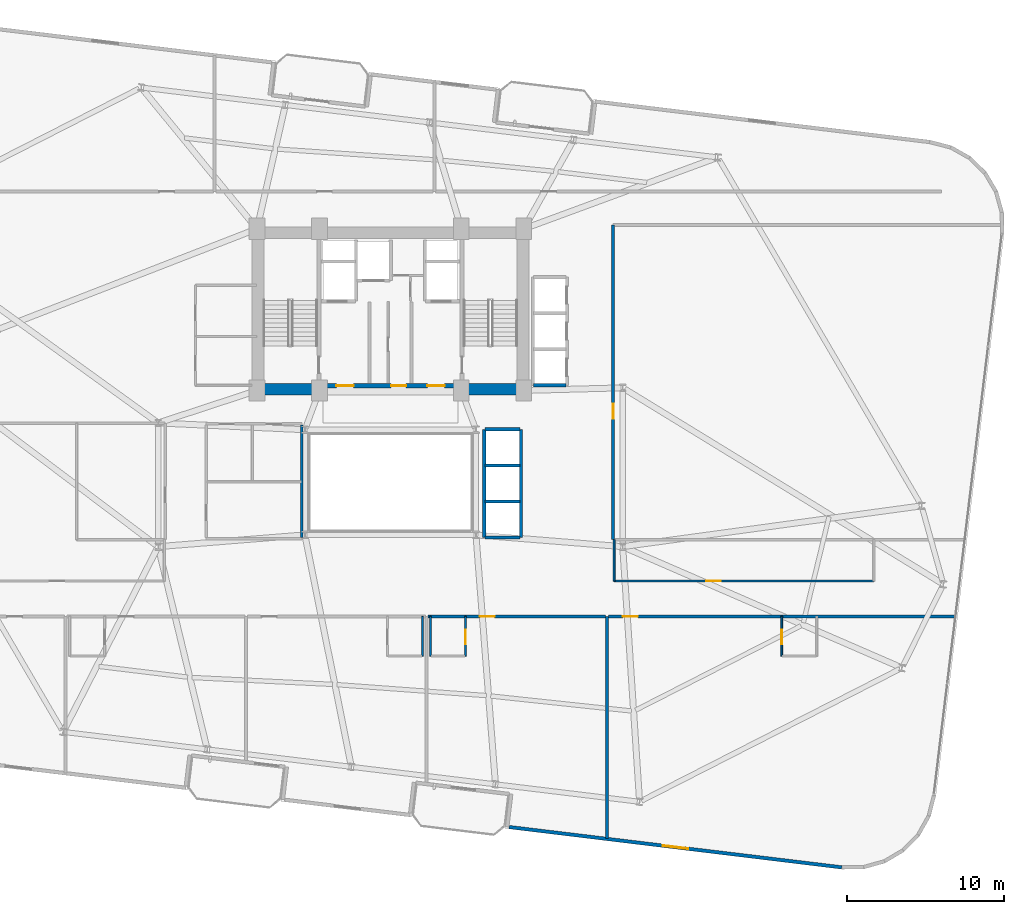
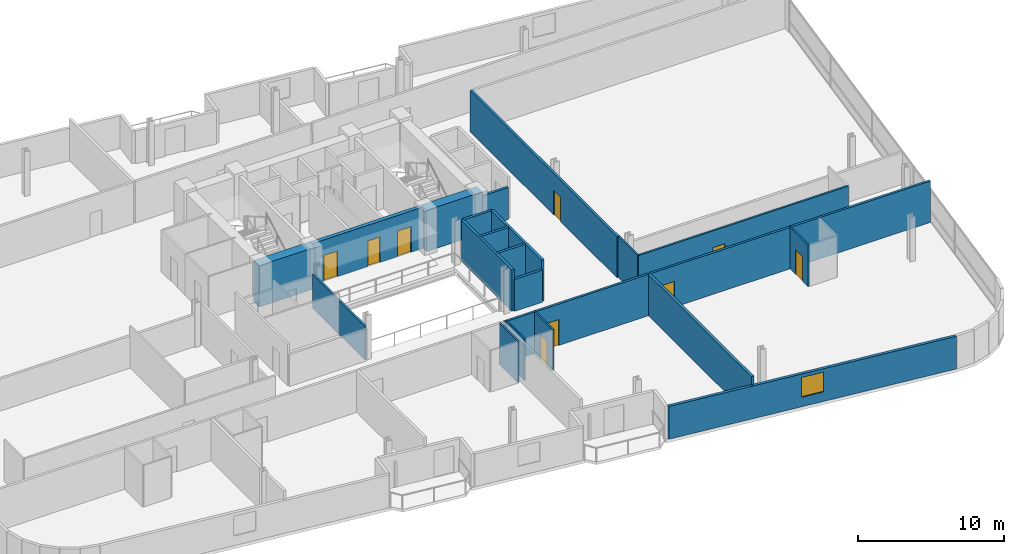
# One storey, part 21 of 25: 22 walls, 9 doors, 1 window, 10 openings.
"""IFC4 building model written with IfcOpenShell, lengths in metres."""

from ifc_helpers import new_model, si_unit, direction, frame, frame_2d, origin, place, context, subcontext, project, spatial, rectangle, extrude, material, layer, layer_set, type_object, element, fill, save


model = new_model("IFC4")

# Units and contexts
model_context = context("Model", 3, precision=1e-05, world=origin(), true_north=direction((0.0, 1.0)))
body_context = subcontext(model_context, "Body", "Model", "MODEL_VIEW")
ifc_project = project(units=[si_unit("LENGTHUNIT", "METRE"), si_unit("AREAUNIT", "SQUARE_METRE"), si_unit("VOLUMEUNIT", "CUBIC_METRE"), si_unit("PLANEANGLEUNIT", "RADIAN"), si_unit("MASSUNIT", "GRAM", prefix="KILO")], contexts=[model_context])

# Site, building, storey
site_placement = place(None, origin())
site = spatial("IfcSite", under=ifc_project, at=site_placement, CompositionType="ELEMENT")
building_placement = place(site_placement, origin())
building = spatial("IfcBuilding", under=site, at=building_placement, Name="Varnelok Gate Tower", CompositionType="ELEMENT")
storey_placement = place(building_placement, frame((0.0, 0.0, 140.199951171875)))
storey = spatial("IfcBuildingStorey", under=building, at=storey_placement, Name="L35", CompositionType="ELEMENT", Elevation=140.199951171875)

# Wall, opening, window
ifc_material_1 = material(Name="Concrete C45/55", Category="concrete")
ifc_layer_1 = layer(ifc_material_1, 0.219970703125)
ifc_layer_set_1 = layer_set([ifc_layer_1], Name="Concrete C45/55")
wall_type_1 = type_object("IfcWallType", Name="EW-BALC-220", PredefinedType="SOLIDWALL", material=ifc_layer_set_1)
wall_1_placement = place(storey_placement, frame((46.767578125, 0.93212890625, 0.0), z_axis=(0.0, 0.0, 1.0), x_axis=(0.992733036814, -0.120337515419, 0.0)))
wall_1 = element("IfcWall", 1, at=wall_1_placement, inside=storey, type_object=wall_type_1, Name="L35 Perimeter Facade Closure Wall 13", PredefinedType="SOLIDWALL", context=body_context, shape_type="SweptSolid", body=[
    extrude(rectangle(XDim=21.346923828125, YDim=0.219970703125, at=frame_2d((10.67333984375, 0.0))), origin(), (0.0, 0.0, 1.0), 2.72998046875),
])
opening_1_placement = place(wall_1_placement, frame((9.8486328125, 0.0, 0.800048828125)))
opening_1 = element("IfcOpeningElement", 2, at=opening_1_placement, cuts=wall_1, Name="Opening WN3", PredefinedType="OPENING", context=body_context, shape_type="SweptSolid", body=[
    extrude(rectangle(XDim=1.64990234375, YDim=1.64990234375, at=frame_2d((0.824951171875, 0.824951171875))), frame((0.0, 0.119873046875, 0.0), z_axis=(0.0, -1.0, 0.0), x_axis=(1.0, 0.0, 0.0)), (0.0, 0.0, 1.0), 0.239990234375),
])
ifc_material_2 = material(Name="Low-E Laminated Double Glazing IGU", Category="glass")
window_type = type_object("IfcWindowType", Name="WN-HTL-1650", PartitioningType="SINGLE_PANEL", PredefinedType="WINDOW", material=ifc_material_2)
window_placement = place(opening_1_placement, origin())
window = element("IfcWindow", 3, at=window_placement, inside=storey, type_object=window_type, Name="L35 Perimeter Vision Window 13", OverallHeight=1.64990234375, OverallWidth=1.64990234375, PartitioningType="SINGLE_PANEL", PredefinedType="WINDOW", context=body_context, shape_type="SweptSolid", body=[
    extrude(rectangle(XDim=1.64990234375, YDim=1.64990234375, at=frame_2d((0.824951171875, 0.824951171875))), frame((0.0, 0.030029296875, 0.0), z_axis=(0.0, -1.0, 0.0), x_axis=(1.0, 0.0, 0.0)), (0.0, 0.0, 1.0), 0.06005859375),
])
fill(opening_1, window)

# Wall, opening, door
ifc_material_3 = material(Name="Gypsum Plasterboard Acoustic Partition", Category="gypsum")
ifc_layer_2 = layer(ifc_material_3, 0.179931640625)
ifc_layer_set_2 = layer_set([ifc_layer_2], Name="Gypsum Plasterboard Acoustic Partition")
wall_type_2 = type_object("IfcWallType", Name="PW-CORR-180", PredefinedType="PARTITIONING", material=ifc_layer_set_2)
wall_2_placement = place(storey_placement, frame((41.580078125, 14.35009765625, 0.0), z_axis=(0.0, 0.0, 1.0), x_axis=(1.0, 0.0, 0.0)))
wall_2 = element("IfcWall", 4, at=wall_2_placement, inside=storey, type_object=wall_type_2, Name="Interior Partition", PredefinedType="PARTITIONING", context=body_context, shape_type="SweptSolid", body=[
    extrude(rectangle(XDim=11.33984375, YDim=0.179931640625, at=frame_2d((5.669921875, 0.0))), origin(), (0.0, 0.0, 1.0), 3.449951171875),
])
opening_2_placement = place(wall_2_placement, frame((3.313232421875, 0.0, 0.0)))
opening_2 = element("IfcOpeningElement", 5, at=opening_2_placement, cuts=wall_2, Name="Opening D-HT", PredefinedType="OPENING", context=body_context, shape_type="SweptSolid", body=[
    extrude(rectangle(XDim=0.949951171875, YDim=2.14990234375, at=frame_2d((0.47509765625, 1.074951171875))), frame((0.0, 0.099853515625, 0.0), z_axis=(0.0, -1.0, 0.0), x_axis=(1.0, 0.0, 0.0)), (0.0, 0.0, 1.0), 0.199951171875),
])
ifc_material_4 = material(Name="Engineered Hardwood Timber", Category="wood")
door_type_1 = type_object("IfcDoorType", Name="DR-HTL-950", OperationType="NOTDEFINED", PredefinedType="DOOR", material=ifc_material_4)
door_1_placement = place(opening_2_placement, origin())
door_1 = element("IfcDoor", 6, at=door_1_placement, inside=storey, type_object=door_type_1, Name="L35 Guest Room 04 Entrance Door", OperationType="SINGLE_SWING_LEFT", OverallHeight=2.14990234375, OverallWidth=0.949951171875, PredefinedType="DOOR", context=body_context, shape_type="SweptSolid", body=[
    extrude(rectangle(XDim=0.949951171875, YDim=2.14990234375, at=frame_2d((0.47509765625, 1.074951171875))), frame((0.0, 0.02490234375, 0.0), z_axis=(0.0, -1.0, 0.0), x_axis=(1.0, 0.0, 0.0)), (0.0, 0.0, 1.0), 0.050048828125),
])
fill(opening_2, door_1)

wall_3_placement = place(storey_placement, frame((53.080078125, 14.35009765625, 0.0), z_axis=(0.0, 0.0, 1.0), x_axis=(1.0, 0.0, 0.0)))
wall_3 = element("IfcWall", 7, at=wall_3_placement, inside=storey, type_object=wall_type_2, Name="Interior Partition", PredefinedType="PARTITIONING", context=body_context, shape_type="SweptSolid", body=[
    extrude(rectangle(XDim=22.083740234375, YDim=0.179931640625, at=frame_2d((11.0419921875, 0.0))), origin(), (0.0, 0.0, 1.0), 3.449951171875),
])
opening_3_placement = place(wall_3_placement, frame((0.93701171875, 0.0, 0.0)))
opening_3 = element("IfcOpeningElement", 8, at=opening_3_placement, cuts=wall_3, Name="Opening D-HT", PredefinedType="OPENING", context=body_context, shape_type="SweptSolid", body=[
    extrude(rectangle(XDim=0.949951171875, YDim=2.14990234375, at=frame_2d((0.47509765625, 1.074951171875))), frame((0.0, 0.099853515625, 0.0), z_axis=(0.0, -1.0, 0.0), x_axis=(1.0, 0.0, 0.0)), (0.0, 0.0, 1.0), 0.199951171875),
])
door_2_placement = place(opening_3_placement, origin())
door_2 = element("IfcDoor", 9, at=door_2_placement, inside=storey, type_object=door_type_1, Name="L35 Guest Room 05 Entrance Door", OperationType="SINGLE_SWING_RIGHT", OverallHeight=2.14990234375, OverallWidth=0.949951171875, PredefinedType="DOOR", context=body_context, shape_type="SweptSolid", body=[
    extrude(rectangle(XDim=0.949951171875, YDim=2.14990234375, at=frame_2d((0.47509765625, 1.074951171875))), frame((0.0, 0.02490234375, 0.0), z_axis=(0.0, -1.0, 0.0), x_axis=(1.0, 0.0, 0.0)), (0.0, 0.0, 1.0), 0.050048828125),
])
fill(opening_3, door_2)

wall_4_placement = place(storey_placement, frame((53.389892578125, 19.239990234375, 0.0), z_axis=(0.0, 0.0, 1.0), x_axis=(0.0, 1.0, 0.0)))
wall_4 = element("IfcWall", 10, at=wall_4_placement, inside=storey, type_object=wall_type_2, Name="Interior Partition", PredefinedType="PARTITIONING", context=body_context, shape_type="SweptSolid", body=[
    extrude(rectangle(XDim=20.06005859375, YDim=0.179931640625, at=frame_2d((10.030029296875, 0.0))), origin(), (0.0, 0.0, 1.0), 3.449951171875),
])
opening_4_placement = place(wall_4_placement, frame((7.699951171875, 0.0, 0.0)))
opening_4 = element("IfcOpeningElement", 11, at=opening_4_placement, cuts=wall_4, Name="Opening D-I2", PredefinedType="OPENING", context=body_context, shape_type="SweptSolid", body=[
    extrude(rectangle(XDim=0.949951171875, YDim=2.050048828125, at=frame_2d((0.47509765625, 1.02490234375))), frame((0.0, 0.099853515625, 0.0), z_axis=(0.0, -1.0, 0.0), x_axis=(1.0, 0.0, 0.0)), (0.0, 0.0, 1.0), 0.199951171875),
])
door_type_2 = type_object("IfcDoorType", Name="DR-INT-950", OperationType="NOTDEFINED", PredefinedType="DOOR", material=ifc_material_4)
door_3_placement = place(opening_4_placement, origin())
door_3 = element("IfcDoor", 12, at=door_3_placement, inside=storey, type_object=door_type_2, Name="L35 East Club Door", OperationType="SINGLE_SWING_RIGHT", OverallHeight=2.050048828125, OverallWidth=0.949951171875, PredefinedType="DOOR", context=body_context, shape_type="SweptSolid", body=[
    extrude(rectangle(XDim=0.949951171875, YDim=2.050048828125, at=frame_2d((0.47509765625, 1.02490234375))), frame((0.0, 0.02490234375, 0.0), z_axis=(0.0, -1.0, 0.0), x_axis=(1.0, 0.0, 0.0)), (0.0, 0.0, 1.0), 0.050048828125),
])
fill(opening_4, door_3)

# Wall
ifc_layer_3 = layer(ifc_material_3, 0.114990234375)
ifc_layer_set_3 = layer_set([ifc_layer_3], Name="Gypsum Plasterboard Acoustic Partition")
wall_type_3 = type_object("IfcWallType", Name="PW-ENS-125", PredefinedType="PARTITIONING", material=ifc_layer_set_3)
wall_5_placement = place(storey_placement, frame((41.239990234375, 11.830078125, 0.0), z_axis=(0.0, 0.0, 1.0), x_axis=(0.0, 1.0, 0.0)))
element("IfcWall", 13, at=wall_5_placement, inside=storey, type_object=wall_type_3, Name="Interior Partition", PredefinedType="PARTITIONING", context=body_context, shape_type="SweptSolid", body=[
    extrude(rectangle(XDim=2.52001953125, YDim=0.114990234375, at=frame_2d((1.260009765625, 0.0))), origin(), (0.0, 0.0, 1.0), 3.449951171875),
])

# Wall, opening, door
wall_6_placement = place(storey_placement, frame((43.989990234375, 11.830078125, 0.0), z_axis=(0.0, 0.0, 1.0), x_axis=(0.0, 1.0, 0.0)))
wall_6 = element("IfcWall", 14, at=wall_6_placement, inside=storey, type_object=wall_type_3, Name="Interior Partition", PredefinedType="PARTITIONING", context=body_context, shape_type="SweptSolid", body=[
    extrude(rectangle(XDim=2.52001953125, YDim=0.114990234375, at=frame_2d((1.260009765625, 0.0))), origin(), (0.0, 0.0, 1.0), 3.449951171875),
])
opening_5_placement = place(wall_6_placement, frame((0.760009765625, 0.0, 0.0)))
opening_5 = element("IfcOpeningElement", 15, at=opening_5_placement, cuts=wall_6, Name="Opening D-WC", PredefinedType="OPENING", context=body_context, shape_type="SweptSolid", body=[
    extrude(rectangle(XDim=0.89990234375, YDim=2.050048828125, at=frame_2d((0.449951171875, 1.02490234375))), frame((0.0, 0.0673828125, 0.0), z_axis=(0.0, -1.0, 0.0), x_axis=(1.0, 0.0, 0.0)), (0.0, 0.0, 1.0), 0.135009765625),
])
door_type_3 = type_object("IfcDoorType", Name="DR-BATH-900", OperationType="NOTDEFINED", PredefinedType="DOOR", material=ifc_material_4)
door_4_placement = place(opening_5_placement, origin())
door_4 = element("IfcDoor", 16, at=door_4_placement, inside=storey, type_object=door_type_3, Name="L35 Guest En-Suite 04 Door", OperationType="SINGLE_SWING_LEFT", OverallHeight=2.050048828125, OverallWidth=0.89990234375, PredefinedType="DOOR", context=body_context, shape_type="SweptSolid", body=[
    extrude(rectangle(XDim=0.89990234375, YDim=2.050048828125, at=frame_2d((0.449951171875, 1.02490234375))), frame((0.0, 0.02490234375, 0.0), z_axis=(0.0, -1.0, 0.0), x_axis=(1.0, 0.0, 0.0)), (0.0, 0.0, 1.0), 0.050048828125),
])
fill(opening_5, door_4)

# Wall
wall_7_placement = place(storey_placement, frame((41.760009765625, 11.830078125, 0.0), z_axis=(0.0, 0.0, 1.0), x_axis=(0.0, 1.0, 0.0)))
element("IfcWall", 17, at=wall_7_placement, inside=storey, type_object=wall_type_3, Name="Interior Partition", PredefinedType="PARTITIONING", context=body_context, shape_type="SweptSolid", body=[
    extrude(rectangle(XDim=2.52001953125, YDim=0.114990234375, at=frame_2d((1.260009765625, 0.0))), origin(), (0.0, 0.0, 1.0), 3.449951171875),
])

# Wall, opening, door
wall_8_placement = place(storey_placement, frame((64.1298828125, 11.830078125, 0.0), z_axis=(0.0, 0.0, 1.0), x_axis=(0.0, 1.0, 0.0)))
wall_8 = element("IfcWall", 18, at=wall_8_placement, inside=storey, type_object=wall_type_3, Name="Interior Partition", PredefinedType="PARTITIONING", context=body_context, shape_type="SweptSolid", body=[
    extrude(rectangle(XDim=2.52001953125, YDim=0.114990234375, at=frame_2d((1.260009765625, 0.0))), origin(), (0.0, 0.0, 1.0), 3.449951171875),
])
opening_6_placement = place(wall_8_placement, frame((0.760009765625, 0.0, 0.0)))
opening_6 = element("IfcOpeningElement", 19, at=opening_6_placement, cuts=wall_8, Name="Opening D-WC", PredefinedType="OPENING", context=body_context, shape_type="SweptSolid", body=[
    extrude(rectangle(XDim=0.89990234375, YDim=2.050048828125, at=frame_2d((0.449951171875, 1.02490234375))), frame((0.0, 0.0673828125, 0.0), z_axis=(0.0, -1.0, 0.0), x_axis=(1.0, 0.0, 0.0)), (0.0, 0.0, 1.0), 0.135009765625),
])
door_5_placement = place(opening_6_placement, origin())
door_5 = element("IfcDoor", 20, at=door_5_placement, inside=storey, type_object=door_type_3, Name="L35 Guest En-Suite 05 Door", OperationType="SINGLE_SWING_RIGHT", OverallHeight=2.050048828125, OverallWidth=0.89990234375, PredefinedType="DOOR", context=body_context, shape_type="SweptSolid", body=[
    extrude(rectangle(XDim=0.89990234375, YDim=2.050048828125, at=frame_2d((0.449951171875, 1.02490234375))), frame((0.0, 0.02490234375, 0.0), z_axis=(0.0, -1.0, 0.0), x_axis=(1.0, 0.0, 0.0)), (0.0, 0.0, 1.0), 0.050048828125),
])
fill(opening_6, door_5)

# Wall
ifc_layer_4 = layer(ifc_material_3, 0.125)
ifc_layer_set_4 = layer_set([ifc_layer_4], Name="Gypsum Plasterboard Acoustic Partition")
wall_type_4 = type_object("IfcWallType", Name="PW-PART-125", PredefinedType="PARTITIONING", material=ifc_layer_set_4)
wall_9_placement = place(storey_placement, frame((53.449951171875, 16.610107421875, 0.0), z_axis=(0.0, 0.0, 1.0), x_axis=(0.0, 1.0, 0.0)))
element("IfcWall", 21, at=wall_9_placement, inside=storey, type_object=wall_type_4, Name="Interior Partition", PredefinedType="PARTITIONING", context=body_context, shape_type="SweptSolid", body=[
    extrude(rectangle(XDim=2.6298828125, YDim=0.125, at=frame_2d((1.31494140625, 0.0))), origin(), (0.0, 0.0, 1.0), 3.449951171875),
])

# Wall, opening, door
ifc_layer_5 = layer(ifc_material_3, 0.14990234375)
ifc_layer_set_5 = layer_set([ifc_layer_5], Name="Gypsum Plasterboard Acoustic Partition")
wall_type_5 = type_object("IfcWallType", Name="PW-PART-150", PredefinedType="PARTITIONING", material=ifc_layer_set_5)
wall_10_placement = place(storey_placement, frame((53.449951171875, 16.610107421875, 0.0), z_axis=(0.0, 0.0, 1.0), x_axis=(1.0, 0.0, 0.0)))
wall_10 = element("IfcWall", 22, at=wall_10_placement, inside=storey, type_object=wall_type_5, Name="Interior Partition", PredefinedType="PARTITIONING", context=body_context, shape_type="SweptSolid", body=[
    extrude(rectangle(XDim=16.550048828125, YDim=0.14990234375, at=frame_2d((8.27490234375, 0.0))), origin(), (0.0, 0.0, 1.0), 3.449951171875),
])
opening_7_placement = place(wall_10_placement, frame((5.87255859375, 0.0, 0.0)))
opening_7 = element("IfcOpeningElement", 23, at=opening_7_placement, cuts=wall_10, Name="Opening D-I3", PredefinedType="OPENING", context=body_context, shape_type="SweptSolid", body=[
    extrude(rectangle(XDim=0.919921875, YDim=2.050048828125, at=frame_2d((0.4599609375, 1.02490234375))), frame((0.0, 0.0849609375, 0.0), z_axis=(0.0, -1.0, 0.0), x_axis=(1.0, 0.0, 0.0)), (0.0, 0.0, 1.0), 0.169921875),
])
door_type_4 = type_object("IfcDoorType", Name="DR-INT-920", OperationType="NOTDEFINED", PredefinedType="DOOR", material=ifc_material_4)
door_6_placement = place(opening_7_placement, origin())
door_6 = element("IfcDoor", 24, at=door_6_placement, inside=storey, type_object=door_type_4, Name="L35 Atrium Room 2 Door", OperationType="SINGLE_SWING_LEFT", OverallHeight=2.050048828125, OverallWidth=0.919921875, PredefinedType="DOOR", context=body_context, shape_type="SweptSolid", body=[
    extrude(rectangle(XDim=0.919921875, YDim=2.050048828125, at=frame_2d((0.4599609375, 1.02490234375))), frame((0.0, 0.02490234375, 0.0), z_axis=(0.0, -1.0, 0.0), x_axis=(1.0, 0.0, 0.0)), (0.0, 0.0, 1.0), 0.050048828125),
])
fill(opening_7, door_6)

# Walls
wall_11_placement = place(storey_placement, frame((33.56005859375, 19.3798828125, 0.0), z_axis=(0.0, 0.0, 1.0), x_axis=(0.0, 1.0, 0.0)))
element("IfcWall", 25, at=wall_11_placement, inside=storey, type_object=wall_type_5, Name="Interior Partition", PredefinedType="PARTITIONING", context=body_context, shape_type="SweptSolid", body=[
    extrude(rectangle(XDim=7.16015625, YDim=0.14990234375, at=frame_2d((3.580078125, 0.0))), origin(), (0.0, 0.0, 1.0), 2.823974609375),
])
ifc_layer_6 = layer(ifc_material_3, 0.205078125)
ifc_layer_set_6 = layer_set([ifc_layer_6], Name="Gypsum Plasterboard Acoustic Partition")
wall_type_6 = type_object("IfcWallType", Name="PW-PARTY-200", PredefinedType="PARTITIONING", material=ifc_layer_set_6)
wall_12_placement = place(storey_placement, frame((53.0, 0.19677734375, 0.0), z_axis=(0.0, 0.0, 1.0), x_axis=(0.0, 1.0, 0.0)))
element("IfcWall", 26, at=wall_12_placement, inside=storey, type_object=wall_type_6, Name="L35 South Party Wall 4", PredefinedType="PARTITIONING", context=body_context, shape_type="SweptSolid", body=[
    extrude(rectangle(XDim=14.1533203125, YDim=0.205078125, at=frame_2d((7.07666015625, 0.0))), origin(), (0.0, 0.0, 1.0), 3.449951171875),
])
ifc_material_5 = material(Name="Concrete C35/45", Category="concrete")
ifc_layer_7 = layer(ifc_material_5, 0.199951171875)
ifc_layer_set_7 = layer_set([ifc_layer_7], Name="Concrete C35/45")
wall_type_7 = type_object("IfcWallType", Name="PW-SHAFT-200", PredefinedType="PARTITIONING", material=ifc_layer_set_7)
wall_13_placement = place(storey_placement, frame((48.320068359375, 29.080078125, 0.0), z_axis=(0.0, 0.0, 1.0), x_axis=(1.0, 0.0, 0.0)))
element("IfcWall", 27, at=wall_13_placement, inside=storey, type_object=wall_type_7, Name="L35 PM Bank South Wall", PredefinedType="PARTITIONING", context=body_context, shape_type="SweptSolid", body=[
    extrude(rectangle(XDim=2.059814453125, YDim=0.199951171875, at=frame_2d((1.02978515625, 0.0))), origin(), (0.0, 0.0, 1.0), 2.662109375),
])
for number, where, z_axis, x_axis, name in (
    (28, (45.239990234375, 21.675048828125, 0.0), (0.0, 0.0, 1.0), (1.0, 0.0, 0.0), "L35 PH1 Divider"),
    (29, (45.239990234375, 23.97509765625, 0.0), (0.0, 0.0, 1.0), (1.0, 0.0, 0.0), "L35 PH2 Divider"),
):
    element("IfcWall", number, at=place(storey_placement, frame(where, z_axis=z_axis, x_axis=x_axis)), inside=storey, type_object=wall_type_7, Name=name, PredefinedType="PARTITIONING", context=body_context, shape_type="SweptSolid", body=[
        extrude(rectangle(XDim=2.219970703125, YDim=0.199951171875, at=frame_2d((1.10986328125, 0.0))), origin(), (0.0, 0.0, 1.0), 3.449951171875),
    ])
wall_14_placement = place(storey_placement, frame((45.239990234375, 19.3798828125, 0.0), z_axis=(0.0, 0.0, 1.0), x_axis=(1.0, 0.0, 0.0)))
element("IfcWall", 30, at=wall_14_placement, inside=storey, type_object=wall_type_7, Name="L35 PH Bank South Wall", PredefinedType="PARTITIONING", context=body_context, shape_type="SweptSolid", body=[
    extrude(rectangle(XDim=2.219970703125, YDim=0.199951171875, at=frame_2d((1.10986328125, 0.0))), origin(), (0.0, 0.0, 1.0), 2.662109375),
])
wall_15_placement = place(storey_placement, frame((45.239990234375, 26.280029296875, 0.0), z_axis=(0.0, 0.0, 1.0), x_axis=(1.0, 0.0, 0.0)))
element("IfcWall", 31, at=wall_15_placement, inside=storey, type_object=wall_type_7, Name="L35 PH Bank North Wall", PredefinedType="PARTITIONING", context=body_context, shape_type="SweptSolid", body=[
    extrude(rectangle(XDim=2.219970703125, YDim=0.199951171875, at=frame_2d((1.10986328125, 0.0))), origin(), (0.0, 0.0, 1.0), 3.449951171875),
])
for number, where, z_axis, x_axis, name in (
    (32, (45.179931640625, 19.3798828125, 0.0), (0.0, 0.0, 1.0), (0.0, 1.0, 0.0), "L35 PH Bank Atrium Wall"),
    (33, (47.52001953125, 19.3798828125, 0.0), (0.0, 0.0, 1.0), (0.0, 1.0, 0.0), "L35 PH Bank Front Wall"),
):
    element("IfcWall", number, at=place(storey_placement, frame(where, z_axis=z_axis, x_axis=x_axis)), inside=storey, type_object=wall_type_7, Name=name, PredefinedType="PARTITIONING", context=body_context, shape_type="SweptSolid", body=[
        extrude(rectangle(XDim=6.900146484375, YDim=0.199951171875, at=frame_2d((3.4501953125, 0.0))), origin(), (0.0, 0.0, 1.0), 3.449951171875),
    ])
ifc_material_6 = material(Name="Concrete C70/85", Category="concrete")
ifc_layer_8 = layer(ifc_material_6, 0.75)
ifc_layer_set_8 = layer_set([ifc_layer_8], Name="Concrete C70/85")
wall_type_8 = type_object("IfcWallType", Name="SW-CORE-750", PredefinedType="SHEAR", material=ifc_layer_set_8)
wall_16_placement = place(storey_placement, frame((30.3798828125, 28.824951171875, 0.0), z_axis=(0.0, 0.0, 1.0), x_axis=(1.0, 0.0, 0.0)))
element("IfcWall", 34, at=wall_16_placement, inside=storey, type_object=wall_type_8, Name="L35 Rear Core South-West Shear Wall", PredefinedType="SHEAR", context=body_context, shape_type="SweptSolid", body=[
    extrude(rectangle(XDim=4.420166015625, YDim=0.75, at=frame_2d((2.2099609375, 0.0))), origin(), (0.0, 0.0, 1.0), 3.449951171875),
])
wall_17_placement = place(storey_placement, frame((43.60009765625, 28.824951171875, 0.0), z_axis=(0.0, 0.0, 1.0), x_axis=(1.0, 0.0, 0.0)))
element("IfcWall", 35, at=wall_17_placement, inside=storey, type_object=wall_type_8, Name="L35 Rear Core South-East Shear Wall", PredefinedType="SHEAR", context=body_context, shape_type="SweptSolid", body=[
    extrude(rectangle(XDim=4.419921875, YDim=0.75, at=frame_2d((2.2099609375, 0.0))), origin(), (0.0, 0.0, 1.0), 3.449951171875),
])

# Wall, openings, doors
ifc_material_7 = material(Name="Concrete C60/75", Category="concrete")
ifc_layer_9 = layer(ifc_material_7, 0.300048828125)
ifc_layer_set_9 = layer_set([ifc_layer_9], Name="Concrete C60/75")
wall_type_9 = type_object("IfcWallType", Name="SW-SHAFT-300", PredefinedType="SHEAR", material=ifc_layer_set_9)
wall_18_placement = place(storey_placement, frame((34.800048828125, 29.050048828125, 0.0), z_axis=(0.0, 0.0, 1.0), x_axis=(1.0, 0.0, 0.0)))
wall_18 = element("IfcWall", 36, at=wall_18_placement, inside=storey, type_object=wall_type_9, Name="L35 Rear Core Central Lobby Shear Wall", PredefinedType="SHEAR", context=body_context, shape_type="SweptSolid", body=[
    extrude(rectangle(XDim=8.800048828125, YDim=0.300048828125, at=frame_2d((4.39990234375, 0.0))), origin(), (0.0, 0.0, 1.0), 3.449951171875),
])
opening_8_placement = place(wall_18_placement, frame((0.949951171875, 0.0, 0.0)))
opening_8 = element("IfcOpeningElement", 37, at=opening_8_placement, cuts=wall_18, Name="Opening D-FF", PredefinedType="OPENING", context=body_context, shape_type="SweptSolid", body=[
    extrude(rectangle(XDim=1.10009765625, YDim=2.14990234375, at=frame_2d((0.550048828125, 1.074951171875))), frame((0.0, 0.159912109375, 0.0), z_axis=(0.0, -1.0, 0.0), x_axis=(1.0, 0.0, 0.0)), (0.0, 0.0, 1.0), 0.320068359375),
])
opening_9_placement = place(wall_18_placement, frame((6.75, 0.0, 0.0)))
opening_9 = element("IfcOpeningElement", 38, at=opening_9_placement, cuts=wall_18, Name="Opening D-FF", PredefinedType="OPENING", context=body_context, shape_type="SweptSolid", body=[
    extrude(rectangle(XDim=1.10009765625, YDim=2.14990234375, at=frame_2d((0.550048828125, 1.074951171875))), frame((0.0, 0.159912109375, 0.0), z_axis=(0.0, -1.0, 0.0), x_axis=(1.0, 0.0, 0.0)), (0.0, 0.0, 1.0), 0.320068359375),
])
opening_10_placement = place(wall_18_placement, frame((4.449951171875, 0.0, 0.0)))
opening_10 = element("IfcOpeningElement", 39, at=opening_10_placement, cuts=wall_18, Name="Opening D-CR", PredefinedType="OPENING", context=body_context, shape_type="SweptSolid", body=[
    extrude(rectangle(XDim=0.949951171875, YDim=2.14990234375, at=frame_2d((0.47509765625, 1.074951171875))), frame((0.0, 0.159912109375, 0.0), z_axis=(0.0, -1.0, 0.0), x_axis=(1.0, 0.0, 0.0)), (0.0, 0.0, 1.0), 0.320068359375),
])
ifc_material_8 = material(Name="Galvanized Steel Grade S350GD", Category="steel")
door_type_5 = type_object("IfcDoorType", Name="DR-CORR-950", OperationType="NOTDEFINED", PredefinedType="DOOR", material=ifc_material_8)
door_7_placement = place(opening_10_placement, origin())
door_7 = element("IfcDoor", 40, at=door_7_placement, inside=storey, type_object=door_type_5, Name="L35 Core Service Passage Door", OperationType="SINGLE_SWING_LEFT", OverallHeight=2.14990234375, OverallWidth=0.949951171875, PredefinedType="DOOR", context=body_context, shape_type="SweptSolid", body=[
    extrude(rectangle(XDim=0.949951171875, YDim=2.14990234375, at=frame_2d((0.47509765625, 1.074951171875))), frame((0.0, 0.02490234375, 0.0), z_axis=(0.0, -1.0, 0.0), x_axis=(1.0, 0.0, 0.0)), (0.0, 0.0, 1.0), 0.050048828125),
])
fill(opening_10, door_7)
door_type_6 = type_object("IfcDoorType", Name="DR-FFLOB-1100", OperationType="NOTDEFINED", PredefinedType="DOOR", material=ifc_material_8)
door_8_placement = place(opening_8_placement, origin())
door_8 = element("IfcDoor", 41, at=door_8_placement, inside=storey, type_object=door_type_6, Name="L35 West Firefighting Lobby Fire Door", OperationType="SINGLE_SWING_RIGHT", OverallHeight=2.14990234375, OverallWidth=1.10009765625, PredefinedType="DOOR", context=body_context, shape_type="SweptSolid", body=[
    extrude(rectangle(XDim=1.10009765625, YDim=2.14990234375, at=frame_2d((0.550048828125, 1.074951171875))), frame((0.0, 0.02490234375, 0.0), z_axis=(0.0, -1.0, 0.0), x_axis=(1.0, 0.0, 0.0)), (0.0, 0.0, 1.0), 0.050048828125),
])
fill(opening_8, door_8)
door_9_placement = place(opening_9_placement, origin())
door_9 = element("IfcDoor", 42, at=door_9_placement, inside=storey, type_object=door_type_6, Name="L35 East Firefighting Lobby Fire Door", OperationType="SINGLE_SWING_LEFT", OverallHeight=2.14990234375, OverallWidth=1.10009765625, PredefinedType="DOOR", context=body_context, shape_type="SweptSolid", body=[
    extrude(rectangle(XDim=1.10009765625, YDim=2.14990234375, at=frame_2d((0.550048828125, 1.074951171875))), frame((0.0, 0.02490234375, 0.0), z_axis=(0.0, -1.0, 0.0), x_axis=(1.0, 0.0, 0.0)), (0.0, 0.0, 1.0), 0.050048828125),
])
fill(opening_9, door_9)

save(model, "model.ifc")
